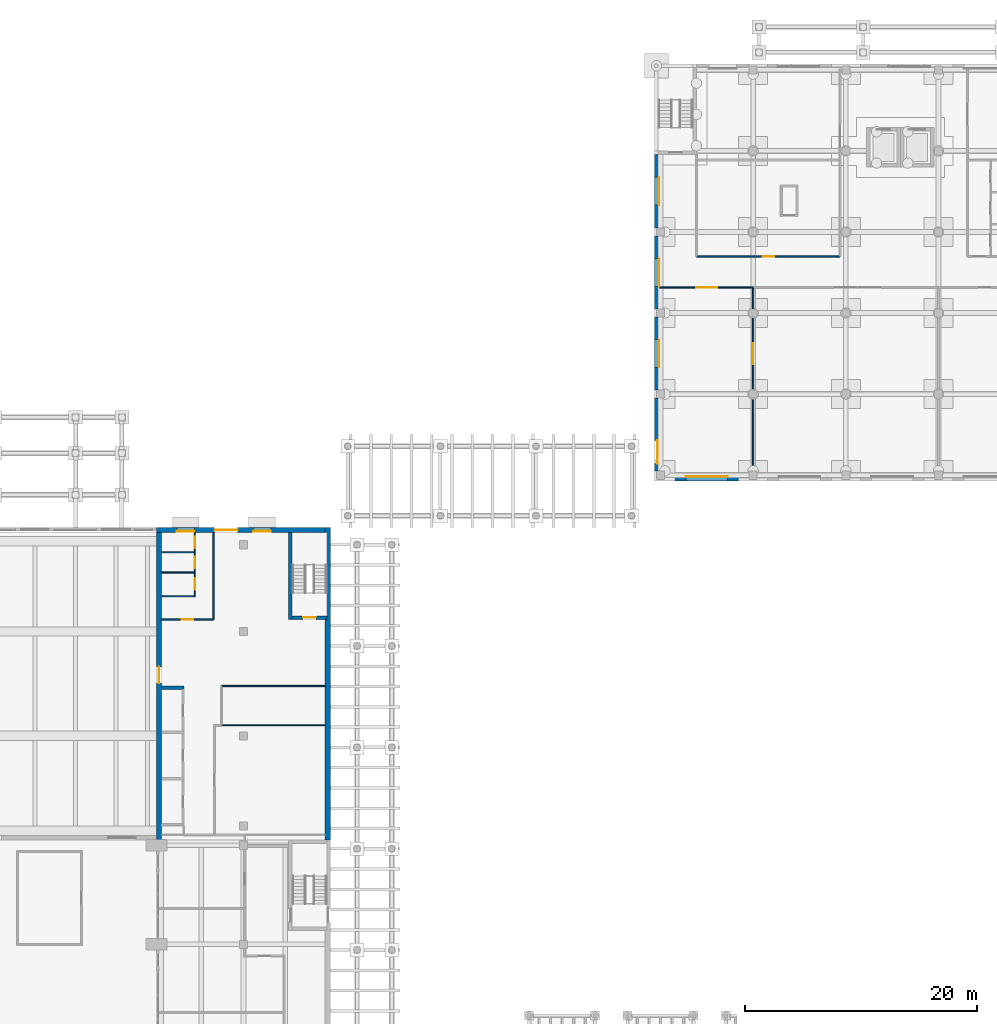
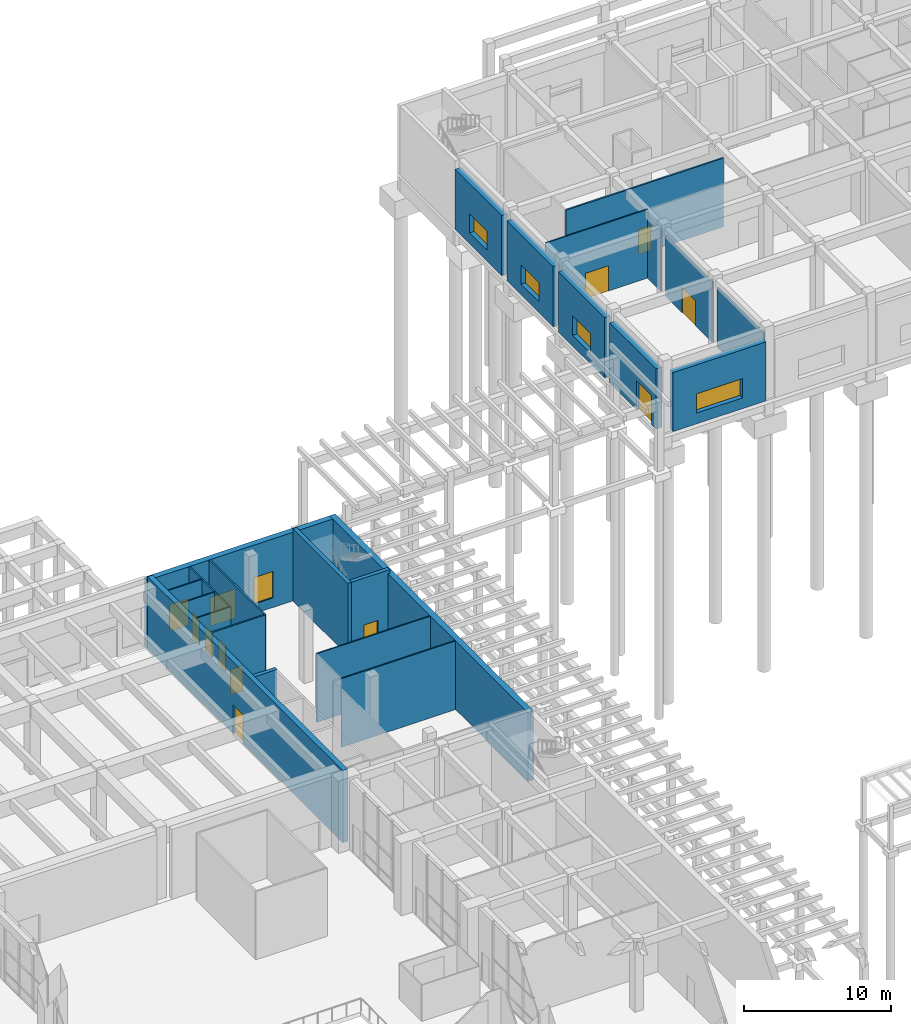
# One storey, part 40 of 51: 26 walls, 11 doors, 6 windows, 17 openings.
"""IFC4 building model written with IfcOpenShell, lengths in metres."""

from ifc_helpers import new_model, si_unit, direction, frame, frame_2d, origin, place, context, subcontext, project, spatial, rectangle, extrude, material, layer, layer_set, type_object, element, fill, save


model = new_model("IFC4")

# Units and contexts
model_context = context("Model", 3, precision=1e-05, world=origin(), true_north=direction((0.0, 1.0)))
body_context = subcontext(model_context, "Body", "Model", "MODEL_VIEW")
ifc_project = project(units=[si_unit("LENGTHUNIT", "METRE"), si_unit("AREAUNIT", "SQUARE_METRE"), si_unit("VOLUMEUNIT", "CUBIC_METRE"), si_unit("PLANEANGLEUNIT", "RADIAN"), si_unit("MASSUNIT", "GRAM", prefix="KILO")], contexts=[model_context])

# Site, building, storey
site_placement = place(None, origin())
site = spatial("IfcSite", under=ifc_project, at=site_placement, CompositionType="ELEMENT")
building_placement = place(site_placement, origin())
building = spatial("IfcBuilding", under=site, at=building_placement, Name="Elmora Arch Market Hall", CompositionType="ELEMENT")
storey_placement = place(building_placement, origin())
storey = spatial("IfcBuildingStorey", under=building, at=storey_placement, Name="L00", CompositionType="ELEMENT", Elevation=0.0)

# Walls
ifc_material_1 = material(Name="Blockwork", Category="masonry")
ifc_layer_1 = layer(ifc_material_1, 0.300048828125)
ifc_layer_set_1 = layer_set([ifc_layer_1], Name="Blockwork")
wall_type_1 = type_object("IfcWallType", Name="Blockwork partition 300 EI 120", PredefinedType="PARTITIONING", material=ifc_layer_set_1)
wall_1_placement = place(storey_placement, frame((43.39990234375, 112.14990234375, 0.0), z_axis=(0.0, 0.0, 1.0), x_axis=(1.0, 0.0, 0.0)))
element("IfcWall", 1, at=wall_1_placement, inside=storey, type_object=wall_type_1, Name="Riser wall L00 25", PredefinedType="PARTITIONING", context=body_context, shape_type="SweptSolid", body=[
    extrude(rectangle(XDim=1.9501953125, YDim=0.300048828125, at=frame_2d((0.97509765625, 0.0))), origin(), (0.0, 0.0, 1.0), 5.699951171875),
])
ifc_material_2 = material(Name="Concrete C40/50", Category="concrete")
ifc_layer_2 = layer(ifc_material_2, 0.449951171875)
ifc_layer_set_2 = layer_set([ifc_layer_2], Name="Concrete C40/50")
wall_type_2 = type_object("IfcWallType", Name="Board-marked concrete wall 450", PredefinedType="SOLIDWALL", material=ifc_layer_set_2)
wall_2_placement = place(storey_placement, frame((57.77490234375, 126.0, 0.0), z_axis=(0.0, 0.0, 1.0), x_axis=(0.0, -1.0, 0.0)))
element("IfcWall", 2, at=wall_2_placement, inside=storey, type_object=wall_type_2, Name="Facade wall east NE L00", PredefinedType="SOLIDWALL", context=body_context, shape_type="SweptSolid", body=[
    extrude(rectangle(XDim=27.0, YDim=0.449951171875, at=frame_2d((13.5, 0.0))), origin(), (0.0, 0.0, 1.0), 5.699951171875),
])

# Wall, openings, door, windows
wall_3_placement = place(storey_placement, frame((43.0, 125.77490234375, 0.0), z_axis=(0.0, 0.0, 1.0), x_axis=(1.0, 0.0, 0.0)))
wall_3 = element("IfcWall", 3, at=wall_3_placement, inside=storey, type_object=wall_type_2, Name="Facade wall north NE L00", PredefinedType="SOLIDWALL", context=body_context, shape_type="SweptSolid", body=[
    extrude(rectangle(XDim=14.550048828125, YDim=0.449951171875, at=frame_2d((7.27490234375, 0.0))), origin(), (0.0, 0.0, 1.0), 5.699951171875),
])
opening_1_placement = place(wall_3_placement, frame((8.35009765625, 0.0, 0.800048828125)))
opening_1 = element("IfcOpeningElement", 4, at=opening_1_placement, cuts=wall_3, Name="Opening WP2", PredefinedType="OPENING", context=body_context, shape_type="SweptSolid", body=[
    extrude(rectangle(XDim=1.5, YDim=2.199951171875, at=frame_2d((0.75, 1.10009765625))), frame((0.0, 0.23486328125, 0.0), z_axis=(0.0, -1.0, 0.0), x_axis=(1.0, 0.0, 0.0)), (0.0, 0.0, 1.0), 0.469970703125),
])
opening_2_placement = place(wall_3_placement, frame((1.75, 0.0, 0.800048828125)))
opening_2 = element("IfcOpeningElement", 5, at=opening_2_placement, cuts=wall_3, Name="Opening WP2", PredefinedType="OPENING", context=body_context, shape_type="SweptSolid", body=[
    extrude(rectangle(XDim=1.5, YDim=2.199951171875, at=frame_2d((0.75, 1.10009765625))), frame((0.0, 0.23486328125, 0.0), z_axis=(0.0, -1.0, 0.0), x_axis=(1.0, 0.0, 0.0)), (0.0, 0.0, 1.0), 0.469970703125),
])
opening_3_placement = place(wall_3_placement, frame((5.0, 0.0, 0.0)))
opening_3 = element("IfcOpeningElement", 6, at=opening_3_placement, cuts=wall_3, Name="Opening EX-PAV-E", PredefinedType="OPENING", context=body_context, shape_type="SweptSolid", body=[
    extrude(rectangle(XDim=2.0, YDim=2.39990234375, at=frame_2d((1.0, 1.199951171875))), frame((0.0, 0.23486328125, 0.0), z_axis=(0.0, -1.0, 0.0), x_axis=(1.0, 0.0, 0.0)), (0.0, 0.0, 1.0), 0.469970703125),
])
ifc_material_3 = material(Name="Glazed aluminium", Category="aluminium")
door_type_1 = type_object("IfcDoorType", Name="Pavilion entrance door 2000x2400", OperationType="DOUBLE_DOOR_DOUBLE_SWING", PredefinedType="DOOR", material=ifc_material_3)
door_1_placement = place(opening_3_placement, origin())
door_1 = element("IfcDoor", 7, at=door_1_placement, inside=storey, type_object=door_type_1, Name="Pavilion entrance E", OperationType="DOUBLE_DOOR_DOUBLE_SWING", OverallHeight=2.39990234375, OverallWidth=2.0, PredefinedType="DOOR", context=body_context, shape_type="SweptSolid", body=[
    extrude(rectangle(XDim=2.0, YDim=2.39990234375, at=frame_2d((1.0, 1.199951171875))), frame((0.0, 0.02490234375, 0.0), z_axis=(0.0, -1.0, 0.0), x_axis=(1.0, 0.0, 0.0)), (0.0, 0.0, 1.0), 0.050048828125),
])
fill(opening_3, door_1)
ifc_material_4 = material(Name="Aluminium", Category="aluminium")
window_type_1 = type_object("IfcWindowType", Name="Pavilion window 1500x2200", PartitioningType="SINGLE_PANEL", PredefinedType="WINDOW", material=ifc_material_4)
window_1_placement = place(opening_1_placement, origin())
window_1 = element("IfcWindow", 8, at=window_1_placement, inside=storey, type_object=window_type_1, Name="Window WP2 L00 N33", OverallHeight=2.199951171875, OverallWidth=1.5, PartitioningType="SINGLE_PANEL", PredefinedType="WINDOW", context=body_context, shape_type="SweptSolid", body=[
    extrude(rectangle(XDim=1.5, YDim=2.199951171875, at=frame_2d((0.75, 1.10009765625))), frame((0.0, -0.074951171875, 0.0), z_axis=(0.0, -1.0, 0.0), x_axis=(1.0, 0.0, 0.0)), (0.0, 0.0, 1.0), 0.06005859375),
])
fill(opening_1, window_1)
window_2_placement = place(opening_2_placement, origin())
window_2 = element("IfcWindow", 9, at=window_2_placement, inside=storey, type_object=window_type_1, Name="Window WP2 L00 N34", OverallHeight=2.199951171875, OverallWidth=1.5, PartitioningType="SINGLE_PANEL", PredefinedType="WINDOW", context=body_context, shape_type="SweptSolid", body=[
    extrude(rectangle(XDim=1.5, YDim=2.199951171875, at=frame_2d((0.75, 1.10009765625))), frame((0.0, -0.074951171875, 0.0), z_axis=(0.0, -1.0, 0.0), x_axis=(1.0, 0.0, 0.0)), (0.0, 0.0, 1.0), 0.06005859375),
])
fill(opening_2, window_2)

# Wall, opening, window
wall_4_placement = place(storey_placement, frame((94.14990234375, 130.22509765625, 0.0), z_axis=(0.0, 0.0, 1.0), x_axis=(-1.0, 0.0, 0.0)))
wall_4 = element("IfcWall", 10, at=wall_4_placement, inside=storey, type_object=wall_type_2, Name="School facade wall S L00 1", PredefinedType="SOLIDWALL", context=body_context, shape_type="SweptSolid", body=[
    extrude(rectangle(XDim=7.2998046875, YDim=0.449951171875, at=frame_2d((3.64990234375, 0.0))), origin(), (0.0, 0.0, 1.0), 4.89990234375),
])
opening_4_placement = place(wall_4_placement, frame((1.85009765625, 0.0, 0.89990234375)))
opening_4 = element("IfcOpeningElement", 11, at=opening_4_placement, cuts=wall_4, Name="Opening WB1", PredefinedType="OPENING", context=body_context, shape_type="SweptSolid", body=[
    extrude(rectangle(XDim=3.60009765625, YDim=1.60009765625, at=frame_2d((1.800048828125, 0.800048828125))), frame((0.0, 0.23486328125, 0.0), z_axis=(0.0, -1.0, 0.0), x_axis=(1.0, 0.0, 0.0)), (0.0, 0.0, 1.0), 0.469970703125),
])
ifc_material_5 = material(Name="Aluminium", Category="aluminium")
window_type_2 = type_object("IfcWindowType", Name="School band window 3600x1600", PartitioningType="SINGLE_PANEL", PredefinedType="WINDOW", material=ifc_material_5)
window_3_placement = place(opening_4_placement, origin())
window_3 = element("IfcWindow", 12, at=window_3_placement, inside=storey, type_object=window_type_2, Name="Window WB1 L00 S66", OverallHeight=1.60009765625, OverallWidth=3.60009765625, PartitioningType="SINGLE_PANEL", PredefinedType="WINDOW", context=body_context, shape_type="SweptSolid", body=[
    extrude(rectangle(XDim=3.60009765625, YDim=1.60009765625, at=frame_2d((1.800048828125, 0.800048828125))), frame((0.0, -0.125, 0.0), z_axis=(0.0, -1.0, 0.0), x_axis=(1.0, 0.0, 0.0)), (0.0, 0.0, 1.0), 0.06005859375),
])
fill(opening_4, window_3)

# Wall, opening, door
wall_5_placement = place(storey_placement, frame((86.22509765625, 130.85009765625, 0.0), z_axis=(0.0, 0.0, 1.0), x_axis=(0.0, 1.0, 0.0)))
wall_5 = element("IfcWall", 13, at=wall_5_placement, inside=storey, type_object=wall_type_2, Name="School facade wall W L00 2", PredefinedType="SOLIDWALL", context=body_context, shape_type="SweptSolid", body=[
    extrude(rectangle(XDim=6.2998046875, YDim=0.449951171875, at=frame_2d((3.14990234375, 0.0))), origin(), (0.0, 0.0, 1.0), 5.0),
])
opening_5_placement = place(wall_5_placement, frame((0.64990234375, 0.0, 0.0)))
opening_5 = element("IfcOpeningElement", 14, at=opening_5_placement, cuts=wall_5, Name="Opening EX-SCH-PASSAGE", PredefinedType="OPENING", context=body_context, shape_type="SweptSolid", body=[
    extrude(rectangle(XDim=2.0, YDim=2.39990234375, at=frame_2d((1.0, 1.199951171875))), frame((0.0, 0.23486328125, 0.0), z_axis=(0.0, -1.0, 0.0), x_axis=(1.0, 0.0, 0.0)), (0.0, 0.0, 1.0), 0.469970703125),
])
ifc_material_6 = material(Name="Glazed aluminium", Category="aluminium")
door_type_2 = type_object("IfcDoorType", Name="School passage door 2000x2400", OperationType="DOUBLE_DOOR_DOUBLE_SWING", PredefinedType="DOOR", material=ifc_material_6)
door_2_placement = place(opening_5_placement, origin())
door_2 = element("IfcDoor", 15, at=door_2_placement, inside=storey, type_object=door_type_2, Name="School passage door", OperationType="DOUBLE_DOOR_DOUBLE_SWING", OverallHeight=2.39990234375, OverallWidth=2.0, PredefinedType="DOOR", context=body_context, shape_type="SweptSolid", body=[
    extrude(rectangle(XDim=2.0, YDim=2.39990234375, at=frame_2d((1.0, 1.199951171875))), frame((0.0, 0.02490234375, 0.0), z_axis=(0.0, -1.0, 0.0), x_axis=(1.0, 0.0, 0.0)), (0.0, 0.0, 1.0), 0.050048828125),
])
fill(opening_5, door_2)

# Wall, opening, window
wall_6_placement = place(storey_placement, frame((86.22509765625, 137.85009765625, 0.0), z_axis=(0.0, 0.0, 1.0), x_axis=(0.0, 1.0, 0.0)))
wall_6 = element("IfcWall", 16, at=wall_6_placement, inside=storey, type_object=wall_type_2, Name="School facade wall W L00 3", PredefinedType="SOLIDWALL", context=body_context, shape_type="SweptSolid", body=[
    extrude(rectangle(XDim=6.2998046875, YDim=0.449951171875, at=frame_2d((3.14990234375, 0.0))), origin(), (0.0, 0.0, 1.0), 5.0),
])
opening_6_placement = place(wall_6_placement, frame((1.949951171875, 0.0, 0.89990234375)))
opening_6 = element("IfcOpeningElement", 17, at=opening_6_placement, cuts=wall_6, Name="Opening WB2", PredefinedType="OPENING", context=body_context, shape_type="SweptSolid", body=[
    extrude(rectangle(XDim=2.39990234375, YDim=1.60009765625, at=frame_2d((1.199951171875, 0.800048828125))), frame((0.0, 0.23486328125, 0.0), z_axis=(0.0, -1.0, 0.0), x_axis=(1.0, 0.0, 0.0)), (0.0, 0.0, 1.0), 0.469970703125),
])
ifc_material_7 = material(Name="Aluminium", Category="aluminium")
window_type_3 = type_object("IfcWindowType", Name="School end band window 2400x1600", PartitioningType="SINGLE_PANEL", PredefinedType="WINDOW", material=ifc_material_7)
window_4_placement = place(opening_6_placement, origin())
window_4 = element("IfcWindow", 18, at=window_4_placement, inside=storey, type_object=window_type_3, Name="Window WB2 L00 W80", OverallHeight=1.60009765625, OverallWidth=2.39990234375, PartitioningType="SINGLE_PANEL", PredefinedType="WINDOW", context=body_context, shape_type="SweptSolid", body=[
    extrude(rectangle(XDim=2.39990234375, YDim=1.60009765625, at=frame_2d((1.199951171875, 0.800048828125))), frame((0.0, -0.125, 0.0), z_axis=(0.0, -1.0, 0.0), x_axis=(1.0, 0.0, 0.0)), (0.0, 0.0, 1.0), 0.06005859375),
])
fill(opening_6, window_4)

wall_7_placement = place(storey_placement, frame((86.22509765625, 144.85009765625, 0.0), z_axis=(0.0, 0.0, 1.0), x_axis=(0.0, 1.0, 0.0)))
wall_7 = element("IfcWall", 19, at=wall_7_placement, inside=storey, type_object=wall_type_2, Name="School facade wall W L00 4", PredefinedType="SOLIDWALL", context=body_context, shape_type="SweptSolid", body=[
    extrude(rectangle(XDim=6.2998046875, YDim=0.449951171875, at=frame_2d((3.14990234375, 0.0))), origin(), (0.0, 0.0, 1.0), 5.0),
])
opening_7_placement = place(wall_7_placement, frame((1.949951171875, 0.0, 0.89990234375)))
opening_7 = element("IfcOpeningElement", 20, at=opening_7_placement, cuts=wall_7, Name="Opening WB2", PredefinedType="OPENING", context=body_context, shape_type="SweptSolid", body=[
    extrude(rectangle(XDim=2.39990234375, YDim=1.60009765625, at=frame_2d((1.199951171875, 0.800048828125))), frame((0.0, 0.23486328125, 0.0), z_axis=(0.0, -1.0, 0.0), x_axis=(1.0, 0.0, 0.0)), (0.0, 0.0, 1.0), 0.469970703125),
])
window_5_placement = place(opening_7_placement, origin())
window_5 = element("IfcWindow", 21, at=window_5_placement, inside=storey, type_object=window_type_3, Name="Window WB2 L00 W81", OverallHeight=1.60009765625, OverallWidth=2.39990234375, PartitioningType="SINGLE_PANEL", PredefinedType="WINDOW", context=body_context, shape_type="SweptSolid", body=[
    extrude(rectangle(XDim=2.39990234375, YDim=1.60009765625, at=frame_2d((1.199951171875, 0.800048828125))), frame((0.0, -0.125, 0.0), z_axis=(0.0, -1.0, 0.0), x_axis=(1.0, 0.0, 0.0)), (0.0, 0.0, 1.0), 0.06005859375),
])
fill(opening_7, window_5)

wall_8_placement = place(storey_placement, frame((86.22509765625, 151.85009765625, 0.0), z_axis=(0.0, 0.0, 1.0), x_axis=(0.0, 1.0, 0.0)))
wall_8 = element("IfcWall", 22, at=wall_8_placement, inside=storey, type_object=wall_type_2, Name="School facade wall W L00 5", PredefinedType="SOLIDWALL", context=body_context, shape_type="SweptSolid", body=[
    extrude(rectangle(XDim=6.349853515625, YDim=0.449951171875, at=frame_2d((3.1748046875, 0.0))), origin(), (0.0, 0.0, 1.0), 5.0),
])
opening_8_placement = place(wall_8_placement, frame((1.97509765625, 0.0, 0.89990234375)))
opening_8 = element("IfcOpeningElement", 23, at=opening_8_placement, cuts=wall_8, Name="Opening WB2", PredefinedType="OPENING", context=body_context, shape_type="SweptSolid", body=[
    extrude(rectangle(XDim=2.39990234375, YDim=1.60009765625, at=frame_2d((1.199951171875, 0.800048828125))), frame((0.0, 0.23486328125, 0.0), z_axis=(0.0, -1.0, 0.0), x_axis=(1.0, 0.0, 0.0)), (0.0, 0.0, 1.0), 0.469970703125),
])
window_6_placement = place(opening_8_placement, origin())
window_6 = element("IfcWindow", 24, at=window_6_placement, inside=storey, type_object=window_type_3, Name="Window WB2 L00 W82", OverallHeight=1.60009765625, OverallWidth=2.39990234375, PartitioningType="SINGLE_PANEL", PredefinedType="WINDOW", context=body_context, shape_type="SweptSolid", body=[
    extrude(rectangle(XDim=2.39990234375, YDim=1.60009765625, at=frame_2d((1.199951171875, 0.800048828125))), frame((0.0, -0.125, 0.0), z_axis=(0.0, -1.0, 0.0), x_axis=(1.0, 0.0, 0.0)), (0.0, 0.0, 1.0), 0.06005859375),
])
fill(opening_8, window_6)

# Walls
ifc_material_8 = material(Name="Gypsum board on metal studs")
ifc_layer_3 = layer(ifc_material_8, 0.10009765625)
ifc_layer_set_3 = layer_set([ifc_layer_3], Name="Gypsum board on metal studs")
wall_type_3 = type_object("IfcWallType", Name="Partition 100", PredefinedType="PARTITIONING", material=ifc_layer_set_3)
wall_9_placement = place(storey_placement, frame((48.60009765625, 108.89990234375, 0.0), z_axis=(0.0, 0.0, 1.0), x_axis=(1.0, 0.0, 0.0)))
element("IfcWall", 25, at=wall_9_placement, inside=storey, type_object=wall_type_3, Name="Partition PT-L00-102", PredefinedType="PARTITIONING", context=body_context, shape_type="SweptSolid", body=[
    extrude(rectangle(XDim=8.949951171875, YDim=0.10009765625, at=frame_2d((4.47509765625, 0.0))), origin(), (0.0, 0.0, 1.0), 5.699951171875),
])
wall_10_placement = place(storey_placement, frame((48.610107421875, 112.300048828125, 0.0), z_axis=(0.0, 0.0, 1.0), x_axis=(1.0, 0.0, 0.0)))
element("IfcWall", 26, at=wall_10_placement, inside=storey, type_object=wall_type_3, Name="Partition PT-L00-105", PredefinedType="PARTITIONING", context=body_context, shape_type="SweptSolid", body=[
    extrude(rectangle(XDim=8.93994140625, YDim=0.10009765625, at=frame_2d((4.469970703125, 0.0))), origin(), (0.0, 0.0, 1.0), 5.699951171875),
])
wall_11_placement = place(storey_placement, frame((43.39990234375, 120.050048828125, 0.0), z_axis=(0.0, 0.0, 1.0), x_axis=(1.0, 0.0, 0.0)))
element("IfcWall", 27, at=wall_11_placement, inside=storey, type_object=wall_type_3, Name="Partition PT-L00-109", PredefinedType="PARTITIONING", context=body_context, shape_type="SweptSolid", body=[
    extrude(rectangle(XDim=2.9501953125, YDim=0.10009765625, at=frame_2d((1.47509765625, 0.0))), origin(), (0.0, 0.0, 1.0), 5.699951171875),
])
for number, where, z_axis, x_axis, name in (
    (28, (43.39990234375, 122.10009765625, 0.0), (0.0, 0.0, 1.0), (1.0, 0.0, 0.0), "Partition PT-L00-111"),
    (29, (43.39990234375, 123.85009765625, 0.0), (0.0, 0.0, 1.0), (1.0, 0.0, 0.0), "Partition PT-L00-113"),
):
    element("IfcWall", number, at=place(storey_placement, frame(where, z_axis=z_axis, x_axis=x_axis)), inside=storey, type_object=wall_type_3, Name=name, PredefinedType="PARTITIONING", context=body_context, shape_type="SweptSolid", body=[
        extrude(rectangle(XDim=2.85009765625, YDim=0.10009765625, at=frame_2d((1.425048828125, 0.0))), origin(), (0.0, 0.0, 1.0), 5.699951171875),
    ])

# Wall, opening, door
wall_12_placement = place(storey_placement, frame((86.449951171875, 146.699951171875, 0.0), z_axis=(0.0, 0.0, 1.0), x_axis=(1.0, 0.0, 0.0)))
wall_12 = element("IfcWall", 30, at=wall_12_placement, inside=storey, type_object=wall_type_3, Name="Partition PT-L00-114", PredefinedType="PARTITIONING", context=body_context, shape_type="SweptSolid", body=[
    extrude(rectangle(XDim=8.050048828125, YDim=0.10009765625, at=frame_2d((4.02490234375, 0.0))), origin(), (0.0, 0.0, 1.0), 5.699951171875),
])
opening_9_placement = place(wall_12_placement, frame((3.14990234375, 0.0, 0.0)))
opening_9 = element("IfcOpeningElement", 31, at=opening_9_placement, cuts=wall_12, Name="Opening D-L00-096", PredefinedType="OPENING", context=body_context, shape_type="SweptSolid", body=[
    extrude(rectangle(XDim=1.800048828125, YDim=2.10009765625, at=frame_2d((0.89990234375, 1.050048828125))), frame((0.0, 0.06005859375, 0.0), z_axis=(0.0, -1.0, 0.0), x_axis=(1.0, 0.0, 0.0)), (0.0, 0.0, 1.0), 0.1201171875),
])
ifc_material_9 = material(Name="Steel ASTM A653 galvanised", Category="steel")
door_type_3 = type_object("IfcDoorType", Name="Double door 1800 x 2100", OperationType="DOUBLE_DOOR_SINGLE_SWING", PredefinedType="DOOR", material=ifc_material_9)
door_3_placement = place(opening_9_placement, frame((1.800048828125, 0.0, 0.0), z_axis=(0.0, 0.0, 1.0), x_axis=(-1.0, 0.0, 0.0)))
door_3 = element("IfcDoor", 32, at=door_3_placement, inside=storey, type_object=door_type_3, Name="D-L00-096", OperationType="DOUBLE_DOOR_SINGLE_SWING", OverallHeight=2.10009765625, OverallWidth=1.800048828125, PredefinedType="DOOR", context=body_context, shape_type="SweptSolid", body=[
    extrude(rectangle(XDim=1.800048828125, YDim=2.10009765625, at=frame_2d((0.89990234375, 1.050048828125))), frame((0.0, 0.02490234375, 0.0), z_axis=(0.0, -1.0, 0.0), x_axis=(1.0, 0.0, 0.0)), (0.0, 0.0, 1.0), 0.050048828125),
])
fill(opening_9, door_3)

wall_13_placement = place(storey_placement, frame((46.300048828125, 120.10009765625, 0.0), z_axis=(0.0, 0.0, 1.0), x_axis=(0.0, 1.0, 0.0)))
wall_13 = element("IfcWall", 33, at=wall_13_placement, inside=storey, type_object=wall_type_3, Name="Partition PT-L00-225", PredefinedType="PARTITIONING", context=body_context, shape_type="SweptSolid", body=[
    extrude(rectangle(XDim=2.0, YDim=0.10009765625, at=frame_2d((1.0, 0.0))), origin(), (0.0, 0.0, 1.0), 5.699951171875),
])
opening_10_placement = place(wall_13_placement, frame((0.5, 0.0, 0.0)))
opening_10 = element("IfcOpeningElement", 34, at=opening_10_placement, cuts=wall_13, Name="Opening D-L00-090", PredefinedType="OPENING", context=body_context, shape_type="SweptSolid", body=[
    extrude(rectangle(XDim=1.0, YDim=2.10009765625, at=frame_2d((0.5, 1.050048828125))), frame((0.0, 0.06005859375, 0.0), z_axis=(0.0, -1.0, 0.0), x_axis=(1.0, 0.0, 0.0)), (0.0, 0.0, 1.0), 0.1201171875),
])
ifc_material_10 = material(Name="Timber door set", Category="wood")
door_type_4 = type_object("IfcDoorType", Name="Door 1000 x 2100", OperationType="SINGLE_SWING_LEFT", PredefinedType="DOOR", material=ifc_material_10)
door_4_placement = place(opening_10_placement, origin())
door_4 = element("IfcDoor", 35, at=door_4_placement, inside=storey, type_object=door_type_4, Name="D-L00-090", OperationType="SINGLE_SWING_RIGHT", OverallHeight=2.10009765625, OverallWidth=1.0, PredefinedType="DOOR", context=body_context, shape_type="SweptSolid", body=[
    extrude(rectangle(XDim=1.0, YDim=2.10009765625, at=frame_2d((0.5, 1.050048828125))), frame((0.0, 0.02490234375, 0.0), z_axis=(0.0, -1.0, 0.0), x_axis=(1.0, 0.0, 0.0)), (0.0, 0.0, 1.0), 0.050048828125),
])
fill(opening_10, door_4)

wall_14_placement = place(storey_placement, frame((46.300048828125, 122.10009765625, 0.0), z_axis=(0.0, 0.0, 1.0), x_axis=(0.0, 1.0, 0.0)))
wall_14 = element("IfcWall", 36, at=wall_14_placement, inside=storey, type_object=wall_type_3, Name="Partition PT-L00-226", PredefinedType="PARTITIONING", context=body_context, shape_type="SweptSolid", body=[
    extrude(rectangle(XDim=1.75, YDim=0.10009765625, at=frame_2d((0.875, 0.0))), origin(), (0.0, 0.0, 1.0), 5.699951171875),
])
opening_11_placement = place(wall_14_placement, frame((0.35009765625, 0.0, 0.0)))
opening_11 = element("IfcOpeningElement", 37, at=opening_11_placement, cuts=wall_14, Name="Opening D-L00-092", PredefinedType="OPENING", context=body_context, shape_type="SweptSolid", body=[
    extrude(rectangle(XDim=1.0, YDim=2.10009765625, at=frame_2d((0.5, 1.050048828125))), frame((0.0, 0.06005859375, 0.0), z_axis=(0.0, -1.0, 0.0), x_axis=(1.0, 0.0, 0.0)), (0.0, 0.0, 1.0), 0.1201171875),
])
door_5_placement = place(opening_11_placement, origin())
door_5 = element("IfcDoor", 38, at=door_5_placement, inside=storey, type_object=door_type_4, Name="D-L00-092", OperationType="SINGLE_SWING_LEFT", OverallHeight=2.10009765625, OverallWidth=1.0, PredefinedType="DOOR", context=body_context, shape_type="SweptSolid", body=[
    extrude(rectangle(XDim=1.0, YDim=2.10009765625, at=frame_2d((0.5, 1.050048828125))), frame((0.0, 0.02490234375, 0.0), z_axis=(0.0, -1.0, 0.0), x_axis=(1.0, 0.0, 0.0)), (0.0, 0.0, 1.0), 0.050048828125),
])
fill(opening_11, door_5)

wall_15_placement = place(storey_placement, frame((46.300048828125, 123.85009765625, 0.0), z_axis=(0.0, 0.0, 1.0), x_axis=(0.0, 1.0, 0.0)))
wall_15 = element("IfcWall", 39, at=wall_15_placement, inside=storey, type_object=wall_type_3, Name="Partition PT-L00-227", PredefinedType="PARTITIONING", context=body_context, shape_type="SweptSolid", body=[
    extrude(rectangle(XDim=1.699951171875, YDim=0.10009765625, at=frame_2d((0.85009765625, 0.0))), origin(), (0.0, 0.0, 1.0), 5.699951171875),
])
opening_12_placement = place(wall_15_placement, frame((0.35009765625, 0.0, 0.0)))
opening_12 = element("IfcOpeningElement", 40, at=opening_12_placement, cuts=wall_15, Name="Opening D-L00-094", PredefinedType="OPENING", context=body_context, shape_type="SweptSolid", body=[
    extrude(rectangle(XDim=1.0, YDim=2.10009765625, at=frame_2d((0.5, 1.050048828125))), frame((0.0, 0.06005859375, 0.0), z_axis=(0.0, -1.0, 0.0), x_axis=(1.0, 0.0, 0.0)), (0.0, 0.0, 1.0), 0.1201171875),
])
door_6_placement = place(opening_12_placement, origin())
door_6 = element("IfcDoor", 41, at=door_6_placement, inside=storey, type_object=door_type_4, Name="D-L00-094", OperationType="SINGLE_SWING_LEFT", OverallHeight=2.10009765625, OverallWidth=1.0, PredefinedType="DOOR", context=body_context, shape_type="SweptSolid", body=[
    extrude(rectangle(XDim=1.0, YDim=2.10009765625, at=frame_2d((0.5, 1.050048828125))), frame((0.0, 0.02490234375, 0.0), z_axis=(0.0, -1.0, 0.0), x_axis=(1.0, 0.0, 0.0)), (0.0, 0.0, 1.0), 0.050048828125),
])
fill(opening_12, door_6)

ifc_material_11 = material(Name="Gypsum board on metal studs")
ifc_layer_4 = layer(ifc_material_11, 0.125)
ifc_layer_set_4 = layer_set([ifc_layer_4], Name="Gypsum board on metal studs")
wall_type_4 = type_object("IfcWallType", Name="Partition 125 EI 60", PredefinedType="PARTITIONING", material=ifc_layer_set_4)
wall_16_placement = place(storey_placement, frame((43.39990234375, 118.050048828125, 0.0), z_axis=(0.0, 0.0, 1.0), x_axis=(1.0, 0.0, 0.0)))
wall_16 = element("IfcWall", 42, at=wall_16_placement, inside=storey, type_object=wall_type_4, Name="Partition PT-L00-107", PredefinedType="PARTITIONING", context=body_context, shape_type="SweptSolid", body=[
    extrude(rectangle(XDim=4.489990234375, YDim=0.125, at=frame_2d((2.2451171875, 0.0))), origin(), (0.0, 0.0, 1.0), 5.699951171875),
])
opening_13_placement = place(wall_16_placement, frame((1.75, 0.0, 0.0)))
opening_13 = element("IfcOpeningElement", 43, at=opening_13_placement, cuts=wall_16, Name="Opening D-L00-088", PredefinedType="OPENING", context=body_context, shape_type="SweptSolid", body=[
    extrude(rectangle(XDim=1.0, YDim=2.10009765625, at=frame_2d((0.5, 1.050048828125))), frame((0.0, 0.072509765625, 0.0), z_axis=(0.0, -1.0, 0.0), x_axis=(1.0, 0.0, 0.0)), (0.0, 0.0, 1.0), 0.14501953125),
])
ifc_material_12 = material(Name="Steel ASTM A653 galvanised", Category="steel")
door_type_5 = type_object("IfcDoorType", Name="Door 1000 x 2100 FD20", OperationType="SINGLE_SWING_LEFT", PredefinedType="DOOR", material=ifc_material_12)
door_7_placement = place(opening_13_placement, origin())
door_7 = element("IfcDoor", 44, at=door_7_placement, inside=storey, type_object=door_type_5, Name="D-L00-088", OperationType="SINGLE_SWING_RIGHT", OverallHeight=2.10009765625, OverallWidth=1.0, PredefinedType="DOOR", context=body_context, shape_type="SweptSolid", body=[
    extrude(rectangle(XDim=1.0, YDim=2.10009765625, at=frame_2d((0.5, 1.050048828125))), frame((0.0, 0.02490234375, 0.0), z_axis=(0.0, -1.0, 0.0), x_axis=(1.0, 0.0, 0.0)), (0.0, 0.0, 1.0), 0.050048828125),
])
fill(opening_13, door_7)

wall_17_placement = place(storey_placement, frame((89.610107421875, 149.39990234375, 0.0), z_axis=(0.0, 0.0, 1.0), x_axis=(1.0, 0.0, 0.0)))
wall_17 = element("IfcWall", 45, at=wall_17_placement, inside=storey, type_object=wall_type_4, Name="Partition PT-L00-118", PredefinedType="PARTITIONING", context=body_context, shape_type="SweptSolid", body=[
    extrude(rectangle(XDim=12.3798828125, YDim=0.125, at=frame_2d((6.18994140625, 0.0))), origin(), (0.0, 0.0, 1.0), 5.699951171875),
])
opening_14_placement = place(wall_17_placement, frame((5.699951171875, 0.0, 0.0)))
opening_14 = element("IfcOpeningElement", 46, at=opening_14_placement, cuts=wall_17, Name="Opening D-L00-102", PredefinedType="OPENING", context=body_context, shape_type="SweptSolid", body=[
    extrude(rectangle(XDim=1.0, YDim=2.10009765625, at=frame_2d((0.5, 1.050048828125))), frame((0.0, 0.072509765625, 0.0), z_axis=(0.0, -1.0, 0.0), x_axis=(1.0, 0.0, 0.0)), (0.0, 0.0, 1.0), 0.14501953125),
])
ifc_material_13 = material(Name="Steel ASTM A653 galvanised", Category="steel")
door_type_6 = type_object("IfcDoorType", Name="Door 1000 x 2100 FD45", OperationType="SINGLE_SWING_LEFT", PredefinedType="DOOR", material=ifc_material_13)
door_8_placement = place(opening_14_placement, origin())
door_8 = element("IfcDoor", 47, at=door_8_placement, inside=storey, type_object=door_type_6, Name="D-L00-102", OperationType="SINGLE_SWING_RIGHT", OverallHeight=2.10009765625, OverallWidth=1.0, PredefinedType="DOOR", context=body_context, shape_type="SweptSolid", body=[
    extrude(rectangle(XDim=1.0, YDim=2.10009765625, at=frame_2d((0.5, 1.050048828125))), frame((0.0, 0.02490234375, 0.0), z_axis=(0.0, -1.0, 0.0), x_axis=(1.0, 0.0, 0.0)), (0.0, 0.0, 1.0), 0.050048828125),
])
fill(opening_14, door_8)

# Walls
wall_18_placement = place(storey_placement, frame((47.89990234375, 118.06005859375, 0.0), z_axis=(0.0, 0.0, 1.0), x_axis=(0.0, 1.0, 0.0)))
element("IfcWall", 48, at=wall_18_placement, inside=storey, type_object=wall_type_4, Name="Partition PT-L00-228", PredefinedType="PARTITIONING", context=body_context, shape_type="SweptSolid", body=[
    extrude(rectangle(XDim=7.489990234375, YDim=0.125, at=frame_2d((3.7451171875, 0.0))), origin(), (0.0, 0.0, 1.0), 5.699951171875),
])
wall_19_placement = place(storey_placement, frame((94.5, 130.85009765625, 0.0), z_axis=(0.0, 0.0, 1.0), x_axis=(0.0, 1.0, 0.0)))
element("IfcWall", 49, at=wall_19_placement, inside=storey, type_object=wall_type_4, Name="Partition PT-L00-245-241", PredefinedType="PARTITIONING", context=body_context, shape_type="SweptSolid", body=[
    extrude(rectangle(XDim=6.2998046875, YDim=0.125, at=frame_2d((3.14990234375, 0.0))), origin(), (0.0, 0.0, 1.0), 5.0),
])

# Wall, opening, door
wall_20_placement = place(storey_placement, frame((94.5, 137.85009765625, 0.0), z_axis=(0.0, 0.0, 1.0), x_axis=(0.0, 1.0, 0.0)))
wall_20 = element("IfcWall", 50, at=wall_20_placement, inside=storey, type_object=wall_type_4, Name="Partition PT-L00-245-242", PredefinedType="PARTITIONING", context=body_context, shape_type="SweptSolid", body=[
    extrude(rectangle(XDim=6.2998046875, YDim=0.125, at=frame_2d((3.14990234375, 0.0))), origin(), (0.0, 0.0, 1.0), 5.0),
])
opening_15_placement = place(wall_20_placement, frame((2.25, 0.0, 0.0)))
opening_15 = element("IfcOpeningElement", 51, at=opening_15_placement, cuts=wall_20, Name="Opening D-L00-095", PredefinedType="OPENING", context=body_context, shape_type="SweptSolid", body=[
    extrude(rectangle(XDim=1.800048828125, YDim=2.10009765625, at=frame_2d((0.89990234375, 1.050048828125))), frame((0.0, 0.072509765625, 0.0), z_axis=(0.0, -1.0, 0.0), x_axis=(1.0, 0.0, 0.0)), (0.0, 0.0, 1.0), 0.14501953125),
])
ifc_material_14 = material(Name="Steel ASTM A653 galvanised", Category="steel")
door_type_7 = type_object("IfcDoorType", Name="Double door 1800 x 2100 FD20", OperationType="DOUBLE_DOOR_SINGLE_SWING", PredefinedType="DOOR", material=ifc_material_14)
door_9_placement = place(opening_15_placement, frame((1.800048828125, 0.0, 0.0), z_axis=(0.0, 0.0, 1.0), x_axis=(-1.0, 0.0, 0.0)))
door_9 = element("IfcDoor", 52, at=door_9_placement, inside=storey, type_object=door_type_7, Name="D-L00-095", OperationType="DOUBLE_DOOR_SINGLE_SWING", OverallHeight=2.10009765625, OverallWidth=1.800048828125, PredefinedType="DOOR", context=body_context, shape_type="SweptSolid", body=[
    extrude(rectangle(XDim=1.800048828125, YDim=2.10009765625, at=frame_2d((0.89990234375, 1.050048828125))), frame((0.0, 0.02490234375, 0.0), z_axis=(0.0, -1.0, 0.0), x_axis=(1.0, 0.0, 0.0)), (0.0, 0.0, 1.0), 0.050048828125),
])
fill(opening_15, door_9)

# Wall
wall_21_placement = place(storey_placement, frame((94.5, 144.85009765625, 0.0), z_axis=(0.0, 0.0, 1.0), x_axis=(0.0, 1.0, 0.0)))
element("IfcWall", 53, at=wall_21_placement, inside=storey, type_object=wall_type_4, Name="Partition PT-L00-245-243", PredefinedType="PARTITIONING", context=body_context, shape_type="SweptSolid", body=[
    extrude(rectangle(XDim=1.787353515625, YDim=0.125, at=frame_2d((0.8935546875, 0.0))), origin(), (0.0, 0.0, 1.0), 5.0),
])

# Wall, opening, door
ifc_material_15 = material(Name="Concrete C40/50", Category="concrete")
ifc_layer_5 = layer(ifc_material_15, 0.39990234375)
ifc_layer_set_5 = layer_set([ifc_layer_5], Name="Concrete C40/50")
wall_type_5 = type_object("IfcWallType", Name="Spine wall 400", PredefinedType="SHEAR", material=ifc_layer_set_5)
wall_22_placement = place(storey_placement, frame((43.199951171875, 99.0, 0.0), z_axis=(0.0, 0.0, 1.0), x_axis=(0.0, 1.0, 0.0)))
wall_22 = element("IfcWall", 54, at=wall_22_placement, inside=storey, type_object=wall_type_5, Name="Spine wall E L00", PredefinedType="SHEAR", context=body_context, shape_type="SweptSolid", body=[
    extrude(rectangle(XDim=26.550048828125, YDim=0.39990234375, at=frame_2d((13.27490234375, 0.0))), origin(), (0.0, 0.0, 1.0), 6.0),
])
opening_16_placement = place(wall_22_placement, frame((13.550048828125, 0.0, 0.0)))
opening_16 = element("IfcOpeningElement", 55, at=opening_16_placement, cuts=wall_22, Name="Opening D-L00-086", PredefinedType="OPENING", context=body_context, shape_type="SweptSolid", body=[
    extrude(rectangle(XDim=1.39990234375, YDim=2.39990234375, at=frame_2d((0.699951171875, 1.199951171875))), frame((0.0, 0.2099609375, 0.0), z_axis=(0.0, -1.0, 0.0), x_axis=(1.0, 0.0, 0.0)), (0.0, 0.0, 1.0), 0.419921875),
])
ifc_material_16 = material(Name="Timber door set", Category="wood")
door_type_8 = type_object("IfcDoorType", Name="Door 1400 x 2400", OperationType="SINGLE_SWING_LEFT", PredefinedType="DOOR", material=ifc_material_16)
door_10_placement = place(opening_16_placement, origin())
door_10 = element("IfcDoor", 56, at=door_10_placement, inside=storey, type_object=door_type_8, Name="D-L00-086", OperationType="SINGLE_SWING_RIGHT", OverallHeight=2.39990234375, OverallWidth=1.39990234375, PredefinedType="DOOR", context=body_context, shape_type="SweptSolid", body=[
    extrude(rectangle(XDim=1.39990234375, YDim=2.39990234375, at=frame_2d((0.699951171875, 1.199951171875))), frame((0.0, 0.02490234375, 0.0), z_axis=(0.0, -1.0, 0.0), x_axis=(1.0, 0.0, 0.0)), (0.0, 0.0, 1.0), 0.050048828125),
])
fill(opening_16, door_10)

ifc_material_17 = material(Name="Concrete C40/50", Category="concrete")
ifc_layer_6 = layer(ifc_material_17, 0.300048828125)
ifc_layer_set_6 = layer_set([ifc_layer_6], Name="Concrete C40/50")
wall_type_6 = type_object("IfcWallType", Name="Stair wall 300", PredefinedType="SHEAR", material=ifc_layer_set_6)
wall_23_placement = place(storey_placement, frame((54.699951171875, 118.199951171875, 0.0), z_axis=(0.0, 0.0, 1.0), x_axis=(1.0, 0.0, 0.0)))
wall_23 = element("IfcWall", 57, at=wall_23_placement, inside=storey, type_object=wall_type_6, Name="Stair wall ST-E S L00", PredefinedType="SHEAR", context=body_context, shape_type="SweptSolid", body=[
    extrude(rectangle(XDim=3.0, YDim=0.300048828125, at=frame_2d((1.5, 0.0))), origin(), (0.0, 0.0, 1.0), 6.0),
])
opening_17_placement = place(wall_23_placement, frame((0.949951171875, 0.0, 0.0)))
opening_17 = element("IfcOpeningElement", 58, at=opening_17_placement, cuts=wall_23, Name="Opening ST-E-L00", PredefinedType="OPENING", context=body_context, shape_type="SweptSolid", body=[
    extrude(rectangle(XDim=1.10009765625, YDim=2.10009765625, at=frame_2d((0.550048828125, 1.050048828125))), frame((0.0, 0.159912109375, 0.0), z_axis=(0.0, -1.0, 0.0), x_axis=(1.0, 0.0, 0.0)), (0.0, 0.0, 1.0), 0.320068359375),
])
ifc_material_18 = material(Name="Steel ASTM A653 galvanised", Category="steel")
door_type_9 = type_object("IfcDoorType", Name="Stair door 1100 x 2100 FD90", OperationType="SINGLE_SWING_LEFT", PredefinedType="DOOR", material=ifc_material_18)
door_11_placement = place(opening_17_placement, origin())
door_11 = element("IfcDoor", 59, at=door_11_placement, inside=storey, type_object=door_type_9, Name="Stair door ST-E L00", OperationType="SINGLE_SWING_LEFT", OverallHeight=2.10009765625, OverallWidth=1.10009765625, PredefinedType="DOOR", context=body_context, shape_type="SweptSolid", body=[
    extrude(rectangle(XDim=1.10009765625, YDim=2.10009765625, at=frame_2d((0.550048828125, 1.050048828125))), frame((0.0, 0.02490234375, 0.0), z_axis=(0.0, -1.0, 0.0), x_axis=(1.0, 0.0, 0.0)), (0.0, 0.0, 1.0), 0.050048828125),
])
fill(opening_17, door_11)

# Wall
wall_24_placement = place(storey_placement, frame((54.550048828125, 118.050048828125, 0.0), z_axis=(0.0, 0.0, 1.0), x_axis=(0.0, 1.0, 0.0)))
element("IfcWall", 60, at=wall_24_placement, inside=storey, type_object=wall_type_6, Name="Stair wall ST-E W L00", PredefinedType="SHEAR", context=body_context, shape_type="SweptSolid", body=[
    extrude(rectangle(XDim=7.5, YDim=0.300048828125, at=frame_2d((3.75, 0.0))), origin(), (0.0, 0.0, 1.0), 6.0),
])

save(model, "model.ifc")
